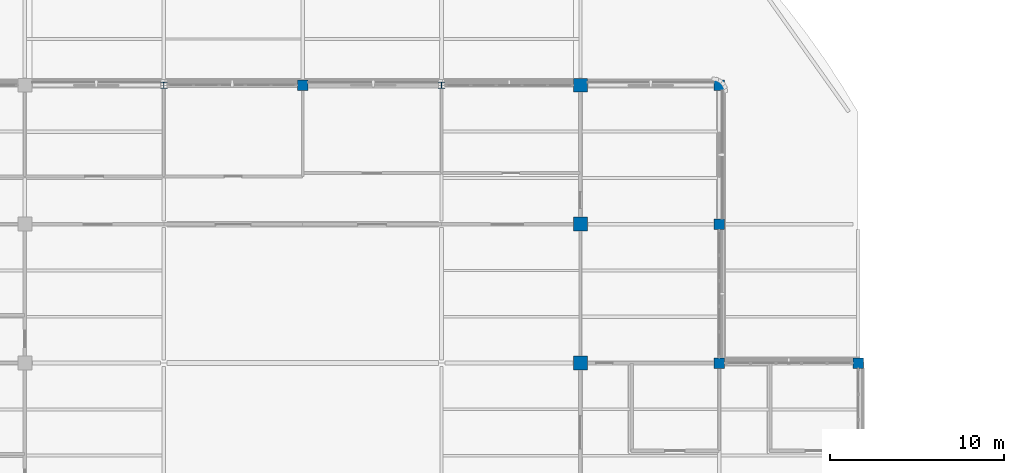
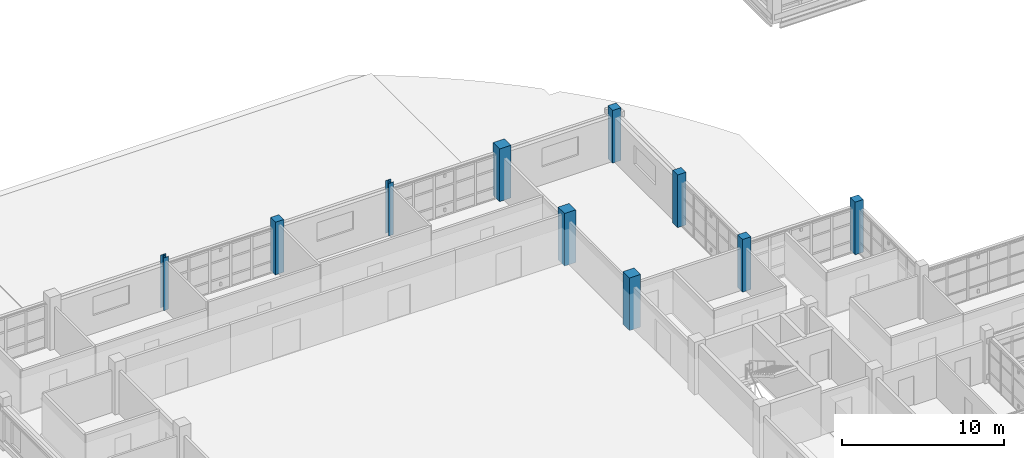
# One storey, part 4 of 126: 10 columns.
"""IFC4 building model written with IfcOpenShell, lengths in metres."""

from ifc_helpers import new_model, si_unit, derived_unit, direction, frame, origin, origin_2d, place, context, subcontext, project, spatial, rectangle, i_section, extrude, material, material_profile, profile_set, type_object, element, save


model = new_model("IFC4")

# Units and contexts
model_context = context("Model", 3, precision=1e-05, world=origin(), true_north=direction((0.0, 1.0)))
body_context = subcontext(model_context, "Body", "Model", "MODEL_VIEW")
ifc_project = project(units=[si_unit("LENGTHUNIT", "METRE"), si_unit("AREAUNIT", "SQUARE_METRE"), si_unit("VOLUMEUNIT", "CUBIC_METRE"), si_unit("PLANEANGLEUNIT", "RADIAN"), si_unit("MASSUNIT", "GRAM", prefix="KILO"), derived_unit("THERMALTRANSMITTANCEUNIT", [(si_unit("MASSUNIT", "GRAM", prefix="KILO"), 1), (si_unit("TIMEUNIT", "SECOND"), -3), (si_unit("THERMODYNAMICTEMPERATUREUNIT", "KELVIN"), -1)])], contexts=[model_context])

# Site, building, storey
site_placement = place(None, origin())
site = spatial("IfcSite", under=ifc_project, at=site_placement, CompositionType="ELEMENT")
building_placement = place(site_placement, origin())
building = spatial("IfcBuilding", under=site, at=building_placement, Name="Veyamyaing Civic Hall", CompositionType="ELEMENT")
storey_placement = place(building_placement, frame((0.0, 0.0, 9.89990234375)))
storey = spatial("IfcBuildingStorey", under=building, at=storey_placement, Name="L02", CompositionType="ELEMENT", Elevation=9.89990234375)

# Columns
ifc_material_1 = material(Name="Concrete C45/55", Category="concrete")
ifc_material_profile_1 = material_profile(ifc_material_1, rectangle(XDim=0.800048828125, YDim=0.800048828125, at=origin_2d()), Name="RC-COL-800X800")
ifc_profile_set_1 = profile_set([ifc_material_profile_1], Name="Concrete C45/55")
column_type_1 = type_object("IfcColumnType", Name="C-02", PredefinedType="COLUMN", material=ifc_profile_set_1)
for number, where, z_axis, x_axis, name in (
    (1, (104.0, 64.0, 0.0), (0.0, 0.0, 1.0), (1.0, 0.0, 0.0), "Column C-02 14-J L02"),
    (2, (104.0, 72.0, 0.0), (0.0, 0.0, 1.0), (1.0, 0.0, 0.0), "Column C-02 14-K L02"),
    (3, (104.0, 80.0, 0.0), (0.0, 0.0, 1.0), (1.0, 0.0, 0.0), "Column C-02 14-L L02"),
):
    element("IfcColumn", number, at=place(storey_placement, frame(where, z_axis=z_axis, x_axis=x_axis)), inside=storey, type_object=column_type_1, Name=name, PredefinedType="COLUMN", context=body_context, shape_type="SweptSolid", body=[
        extrude(rectangle(XDim=0.800048828125, YDim=0.800048828125, at=origin_2d()), origin(), (0.0, 0.0, 1.0), 3.960205078125),
    ])
ifc_material_profile_2 = material_profile(ifc_material_1, rectangle(XDim=0.60009765625, YDim=0.60009765625, at=origin_2d()), Name="RC-COL-600X600")
ifc_profile_set_2 = profile_set([ifc_material_profile_2], Name="Concrete C45/55")
column_type_2 = type_object("IfcColumnType", Name="C-06", PredefinedType="COLUMN", material=ifc_profile_set_2)
for number, where, z_axis, x_axis, name in (
    (4, (88.0, 80.0, 0.0), (0.0, 0.0, 1.0), (1.0, 0.0, 0.0), "Column C-06 12-L L02"),
    (5, (112.0, 64.0, 0.0), (0.0, 0.0, 1.0), (1.0, 0.0, 0.0), "Column C-06 15-J L02"),
    (6, (112.0, 72.0, 0.0), (0.0, 0.0, 1.0), (1.0, 0.0, 0.0), "Column C-06 15-K L02"),
    (7, (112.0, 80.0, 0.0), (0.0, 0.0, 1.0), (1.0, 0.0, 0.0), "Column C-06 15-L L02"),
    (8, (120.0, 64.0, 0.0), (0.0, 0.0, 1.0), (1.0, 0.0, 0.0), "Column C-06 16-J L02"),
):
    element("IfcColumn", number, at=place(storey_placement, frame(where, z_axis=z_axis, x_axis=x_axis)), inside=storey, type_object=column_type_2, Name=name, PredefinedType="COLUMN", context=body_context, shape_type="SweptSolid", body=[
        extrude(rectangle(XDim=0.60009765625, YDim=0.60009765625, at=origin_2d()), origin(), (0.0, 0.0, 1.0), 3.960205078125),
    ])
ifc_material_2 = material(Name="Steel S355J2", Category="steel")
ifc_material_profile_3 = material_profile(ifc_material_2, i_section(OverallWidth=0.37109375, OverallDepth=0.364013671875, WebThickness=0.01318359375, FlangeThickness=0.021728515625, FilletRadius=0.014892578125, at=origin_2d()), Name="W360X162")
ifc_profile_set_3 = profile_set([ifc_material_profile_3], Name="Steel S355J2")
column_type_3 = type_object("IfcColumnType", Name="C-16", PredefinedType="COLUMN", material=ifc_profile_set_3)
for number, where, z_axis, x_axis, name in (
    (9, (80.0, 80.0, 0.0), (0.0, 0.0, 1.0), (1.0, 0.0, 0.0), "Column C-16 11-L L02"),
    (10, (96.0, 80.0, 0.0), (0.0, 0.0, 1.0), (1.0, 0.0, 0.0), "Column C-16 13-L L02"),
):
    element("IfcColumn", number, at=place(storey_placement, frame(where, z_axis=z_axis, x_axis=x_axis)), inside=storey, type_object=column_type_3, Name=name, PredefinedType="COLUMN", context=body_context, shape_type="SweptSolid", body=[
        extrude(i_section(OverallWidth=0.37109375, OverallDepth=0.364013671875, WebThickness=0.01318359375, FlangeThickness=0.021728515625, FilletRadius=0.014892578125, at=origin_2d()), origin(), (0.0, 0.0, 1.0), 3.960205078125),
    ])

save(model, "model.ifc")
